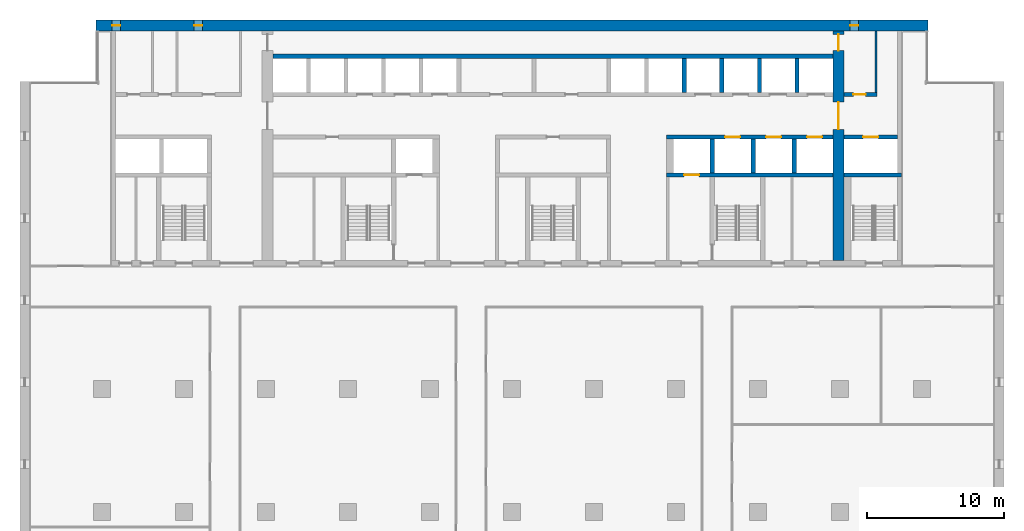
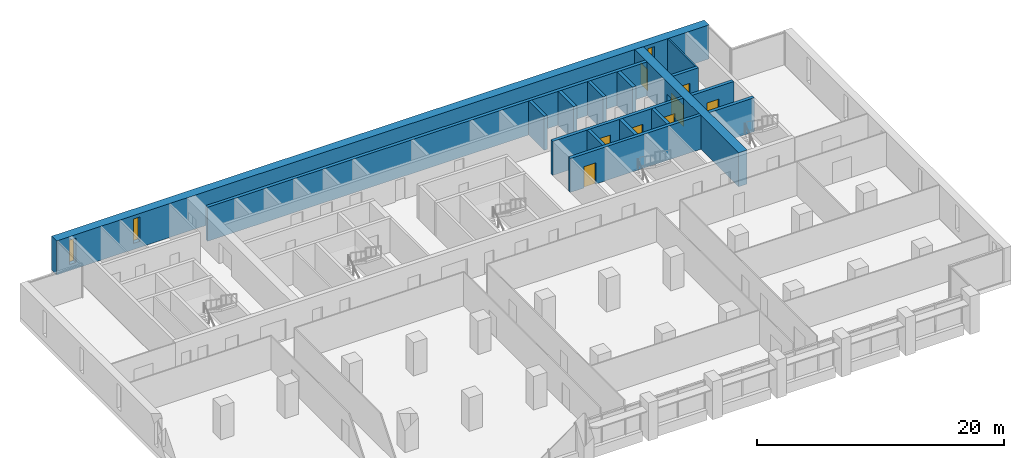
# One storey, part 11 of 16: 16 walls, 8 doors, 3 windows, 11 openings.
"""IFC4 building model written with IfcOpenShell, lengths in metres."""

from ifc_helpers import new_model, si_unit, direction, frame, frame_2d, origin, place, context, subcontext, project, spatial, rectangle, extrude, material, layer, layer_set, type_object, element, fill, save


model = new_model("IFC4")

# Units and contexts
model_context = context("Model", 3, precision=1e-05, world=origin(), true_north=direction((0.0, 1.0)))
body_context = subcontext(model_context, "Body", "Model", "MODEL_VIEW")
ifc_project = project(units=[si_unit("LENGTHUNIT", "METRE"), si_unit("AREAUNIT", "SQUARE_METRE"), si_unit("VOLUMEUNIT", "CUBIC_METRE"), si_unit("PLANEANGLEUNIT", "RADIAN"), si_unit("MASSUNIT", "GRAM", prefix="KILO")], contexts=[model_context])

# Site, building, storey
site_placement = place(None, origin())
site = spatial("IfcSite", under=ifc_project, at=site_placement, CompositionType="ELEMENT")
building_placement = place(site_placement, origin())
building = spatial("IfcBuilding", under=site, at=building_placement, Name="Calvaro Tower", CompositionType="ELEMENT")
storey_placement = place(building_placement, frame((0.0, 0.0, 136.25)))
storey = spatial("IfcBuildingStorey", under=building, at=storey_placement, Name="L34", CompositionType="ELEMENT", Elevation=136.25)

# Wall
ifc_material_1 = material(Name="Blockwork partition", Category="masonry")
ifc_layer_1 = layer(ifc_material_1, 0.14990234375)
ifc_layer_set_1 = layer_set([ifc_layer_1], Name="Blockwork partition")
wall_type_1 = type_object("IfcWallType", Name="Core partition 150 REI 120", PredefinedType="PARTITIONING", material=ifc_layer_set_1)
wall_1_placement = place(storey_placement, frame((62.625, 40.699951171875, 0.0), z_axis=(0.0, 0.0, 1.0), x_axis=(0.0, 1.0, 0.0)))
element("IfcWall", 1, at=wall_1_placement, inside=storey, type_object=wall_type_1, Name="Core partition", PredefinedType="PARTITIONING", context=body_context, shape_type="SweptSolid", body=[
    extrude(rectangle(XDim=4.5, YDim=0.14990234375, at=frame_2d((2.25, 0.0))), origin(), (0.0, 0.0, 1.0), 3.35009765625),
])

# Wall, opening, door
ifc_material_2 = material(Name="Blockwork partition", Category="masonry")
ifc_layer_2 = layer(ifc_material_2, 0.300048828125)
ifc_layer_set_2 = layer_set([ifc_layer_2], Name="Blockwork partition")
wall_type_2 = type_object("IfcWallType", Name="Core partition 300 REI 120", PredefinedType="PARTITIONING", material=ifc_layer_set_2)
wall_2_placement = place(storey_placement, frame((60.300048828125, 40.550048828125, 0.0), z_axis=(0.0, 0.0, 1.0), x_axis=(1.0, 0.0, 0.0)))
wall_2 = element("IfcWall", 2, at=wall_2_placement, inside=storey, type_object=wall_type_2, Name="Core partition", PredefinedType="PARTITIONING", context=body_context, shape_type="SweptSolid", body=[
    extrude(rectangle(XDim=2.39990234375, YDim=0.300048828125, at=frame_2d((1.199951171875, 0.0))), origin(), (0.0, 0.0, 1.0), 3.35009765625),
])
opening_1_placement = place(wall_2_placement, frame((0.675048828125, 0.0, 0.0)))
opening_1 = element("IfcOpeningElement", 3, at=opening_1_placement, cuts=wall_2, Name="Opening RD9E", PredefinedType="OPENING", context=body_context, shape_type="SweptSolid", body=[
    extrude(rectangle(XDim=0.89990234375, YDim=2.10009765625, at=frame_2d((0.449951171875, 1.050048828125))), frame((0.0, 0.159912109375, 0.0), z_axis=(0.0, -1.0, 0.0), x_axis=(1.0, 0.0, 0.0)), (0.0, 0.0, 1.0), 0.320068359375),
])
ifc_material_3 = material(Name="Steel door set", Category="steel")
door_type_1 = type_object("IfcDoorType", Name="Room door 900 FD60", OperationType="SINGLE_SWING_LEFT", PredefinedType="DOOR", material=ifc_material_3)
door_1_placement = place(opening_1_placement, origin())
door_1 = element("IfcDoor", 4, at=door_1_placement, inside=storey, type_object=door_type_1, Name="Room door", OperationType="SINGLE_SWING_LEFT", OverallHeight=2.10009765625, OverallWidth=0.89990234375, PredefinedType="DOOR", context=body_context, shape_type="SweptSolid", body=[
    extrude(rectangle(XDim=0.89990234375, YDim=2.10009765625, at=frame_2d((0.449951171875, 1.050048828125))), frame((0.0, 0.02490234375, 0.0), z_axis=(0.0, -1.0, 0.0), x_axis=(1.0, 0.0, 0.0)), (0.0, 0.0, 1.0), 0.050048828125),
])
fill(opening_1, door_1)

ifc_material_4 = material(Name="Concrete C60/75", Category="concrete")
ifc_layer_3 = layer(ifc_material_4, 0.300048828125)
ifc_layer_set_3 = layer_set([ifc_layer_3], Name="Concrete C60/75")
wall_type_3 = type_object("IfcWallType", Name="Core wall C60/75 300", PredefinedType="SHEAR", material=ifc_layer_set_3)
wall_3_placement = place(storey_placement, frame((47.300048828125, 34.64990234375, 0.0), z_axis=(0.0, 0.0, 1.0), x_axis=(1.0, 0.0, 0.0)))
wall_3 = element("IfcWall", 5, at=wall_3_placement, inside=storey, type_object=wall_type_3, Name="Core wall, lift shaft", PredefinedType="SHEAR", context=body_context, shape_type="SweptSolid", body=[
    extrude(rectangle(XDim=12.199951171875, YDim=0.300048828125, at=frame_2d((6.10009765625, 0.0))), origin(), (0.0, 0.0, 1.0), 3.35009765625),
])
opening_2_placement = place(wall_3_placement, frame((1.300048828125, 0.0, 0.0)))
opening_2 = element("IfcOpeningElement", 6, at=opening_2_placement, cuts=wall_3, Name="Opening FF2", PredefinedType="OPENING", context=body_context, shape_type="SweptSolid", body=[
    extrude(rectangle(XDim=1.10009765625, YDim=2.10009765625, at=frame_2d((0.550048828125, 1.050048828125))), frame((0.0, 0.159912109375, 0.0), z_axis=(0.0, -1.0, 0.0), x_axis=(1.0, 0.0, 0.0)), (0.0, 0.0, 1.0), 0.320068359375),
])
ifc_material_5 = material(Name="Stainless steel", Category="steel")
door_type_2 = type_object("IfcDoorType", Name="Landing door 1100 E 60", OperationType="SLIDING_TO_LEFT", PredefinedType="DOOR", material=ifc_material_5)
door_2_placement = place(opening_2_placement, origin())
door_2 = element("IfcDoor", 7, at=door_2_placement, inside=storey, type_object=door_type_2, Name="Landing door FF2", OperationType="SLIDING_TO_LEFT", OverallHeight=2.10009765625, OverallWidth=1.10009765625, PredefinedType="DOOR", context=body_context, shape_type="SweptSolid", body=[
    extrude(rectangle(XDim=1.10009765625, YDim=2.10009765625, at=frame_2d((0.550048828125, 1.050048828125))), frame((0.0, 0.02490234375, 0.0), z_axis=(0.0, -1.0, 0.0), x_axis=(1.0, 0.0, 0.0)), (0.0, 0.0, 1.0), 0.050048828125),
])
fill(opening_2, door_2)

# Wall
wall_4_placement = place(storey_placement, frame((60.300048828125, 34.64990234375, 0.0), z_axis=(0.0, 0.0, 1.0), x_axis=(1.0, 0.0, 0.0)))
element("IfcWall", 8, at=wall_4_placement, inside=storey, type_object=wall_type_3, Name="Core wall, lift shaft", PredefinedType="SHEAR", context=body_context, shape_type="SweptSolid", body=[
    extrude(rectangle(XDim=4.199951171875, YDim=0.300048828125, at=frame_2d((2.10009765625, 0.0))), origin(), (0.0, 0.0, 1.0), 3.35009765625),
])

# Wall, openings, doors
wall_5_placement = place(storey_placement, frame((47.300048828125, 37.449951171875, 0.0), z_axis=(0.0, 0.0, 1.0), x_axis=(1.0, 0.0, 0.0)))
wall_5 = element("IfcWall", 9, at=wall_5_placement, inside=storey, type_object=wall_type_3, Name="Core wall, lift shaft", PredefinedType="SHEAR", context=body_context, shape_type="SweptSolid", body=[
    extrude(rectangle(XDim=12.199951171875, YDim=0.300048828125, at=frame_2d((6.10009765625, 0.0))), origin(), (0.0, 0.0, 1.0), 3.35009765625),
])
opening_3_placement = place(wall_5_placement, frame((4.300048828125, 0.0, 0.0)))
opening_3 = element("IfcOpeningElement", 10, at=opening_3_placement, cuts=wall_5, Name="Opening MR1", PredefinedType="OPENING", context=body_context, shape_type="SweptSolid", body=[
    extrude(rectangle(XDim=1.10009765625, YDim=2.10009765625, at=frame_2d((0.550048828125, 1.050048828125))), frame((0.0, 0.159912109375, 0.0), z_axis=(0.0, -1.0, 0.0), x_axis=(1.0, 0.0, 0.0)), (0.0, 0.0, 1.0), 0.320068359375),
])
opening_4_placement = place(wall_5_placement, frame((7.300048828125, 0.0, 0.0)))
opening_4 = element("IfcOpeningElement", 11, at=opening_4_placement, cuts=wall_5, Name="Opening MR2", PredefinedType="OPENING", context=body_context, shape_type="SweptSolid", body=[
    extrude(rectangle(XDim=1.10009765625, YDim=2.10009765625, at=frame_2d((0.550048828125, 1.050048828125))), frame((0.0, 0.159912109375, 0.0), z_axis=(0.0, -1.0, 0.0), x_axis=(1.0, 0.0, 0.0)), (0.0, 0.0, 1.0), 0.320068359375),
])
opening_5_placement = place(wall_5_placement, frame((10.300048828125, 0.0, 0.0)))
opening_5 = element("IfcOpeningElement", 12, at=opening_5_placement, cuts=wall_5, Name="Opening MR3", PredefinedType="OPENING", context=body_context, shape_type="SweptSolid", body=[
    extrude(rectangle(XDim=1.10009765625, YDim=2.10009765625, at=frame_2d((0.550048828125, 1.050048828125))), frame((0.0, 0.159912109375, 0.0), z_axis=(0.0, -1.0, 0.0), x_axis=(1.0, 0.0, 0.0)), (0.0, 0.0, 1.0), 0.320068359375),
])
door_3_placement = place(opening_3_placement, origin())
door_3 = element("IfcDoor", 13, at=door_3_placement, inside=storey, type_object=door_type_2, Name="Landing door MR1", OperationType="SLIDING_TO_LEFT", OverallHeight=2.10009765625, OverallWidth=1.10009765625, PredefinedType="DOOR", context=body_context, shape_type="SweptSolid", body=[
    extrude(rectangle(XDim=1.10009765625, YDim=2.10009765625, at=frame_2d((0.550048828125, 1.050048828125))), frame((0.0, 0.02490234375, 0.0), z_axis=(0.0, -1.0, 0.0), x_axis=(1.0, 0.0, 0.0)), (0.0, 0.0, 1.0), 0.050048828125),
])
fill(opening_3, door_3)
door_4_placement = place(opening_4_placement, origin())
door_4 = element("IfcDoor", 14, at=door_4_placement, inside=storey, type_object=door_type_2, Name="Landing door MR2", OperationType="SLIDING_TO_LEFT", OverallHeight=2.10009765625, OverallWidth=1.10009765625, PredefinedType="DOOR", context=body_context, shape_type="SweptSolid", body=[
    extrude(rectangle(XDim=1.10009765625, YDim=2.10009765625, at=frame_2d((0.550048828125, 1.050048828125))), frame((0.0, 0.02490234375, 0.0), z_axis=(0.0, -1.0, 0.0), x_axis=(1.0, 0.0, 0.0)), (0.0, 0.0, 1.0), 0.050048828125),
])
fill(opening_4, door_4)
door_5_placement = place(opening_5_placement, origin())
door_5 = element("IfcDoor", 15, at=door_5_placement, inside=storey, type_object=door_type_2, Name="Landing door MR3", OperationType="SLIDING_TO_LEFT", OverallHeight=2.10009765625, OverallWidth=1.10009765625, PredefinedType="DOOR", context=body_context, shape_type="SweptSolid", body=[
    extrude(rectangle(XDim=1.10009765625, YDim=2.10009765625, at=frame_2d((0.550048828125, 1.050048828125))), frame((0.0, 0.02490234375, 0.0), z_axis=(0.0, -1.0, 0.0), x_axis=(1.0, 0.0, 0.0)), (0.0, 0.0, 1.0), 0.050048828125),
])
fill(opening_5, door_5)

# Wall, opening, door
wall_6_placement = place(storey_placement, frame((60.300048828125, 37.449951171875, 0.0), z_axis=(0.0, 0.0, 1.0), x_axis=(1.0, 0.0, 0.0)))
wall_6 = element("IfcWall", 16, at=wall_6_placement, inside=storey, type_object=wall_type_3, Name="Core wall, lift shaft", PredefinedType="SHEAR", context=body_context, shape_type="SweptSolid", body=[
    extrude(rectangle(XDim=3.89990234375, YDim=0.300048828125, at=frame_2d((1.949951171875, 0.0))), origin(), (0.0, 0.0, 1.0), 3.35009765625),
])
opening_6_placement = place(wall_6_placement, frame((1.39990234375, 0.0, 0.0)))
opening_6 = element("IfcOpeningElement", 17, at=opening_6_placement, cuts=wall_6, Name="Opening FF3", PredefinedType="OPENING", context=body_context, shape_type="SweptSolid", body=[
    extrude(rectangle(XDim=1.10009765625, YDim=2.10009765625, at=frame_2d((0.550048828125, 1.050048828125))), frame((0.0, 0.159912109375, 0.0), z_axis=(0.0, -1.0, 0.0), x_axis=(1.0, 0.0, 0.0)), (0.0, 0.0, 1.0), 0.320068359375),
])
door_6_placement = place(opening_6_placement, origin())
door_6 = element("IfcDoor", 18, at=door_6_placement, inside=storey, type_object=door_type_2, Name="Landing door FF3", OperationType="SLIDING_TO_LEFT", OverallHeight=2.10009765625, OverallWidth=1.10009765625, PredefinedType="DOOR", context=body_context, shape_type="SweptSolid", body=[
    extrude(rectangle(XDim=1.10009765625, YDim=2.10009765625, at=frame_2d((0.550048828125, 1.050048828125))), frame((0.0, 0.02490234375, 0.0), z_axis=(0.0, -1.0, 0.0), x_axis=(1.0, 0.0, 0.0)), (0.0, 0.0, 1.0), 0.050048828125),
])
fill(opening_6, door_6)

# Walls
wall_7_placement = place(storey_placement, frame((50.64990234375, 34.800048828125, 0.0), z_axis=(0.0, 0.0, 1.0), x_axis=(0.0, 1.0, 0.0)))
element("IfcWall", 19, at=wall_7_placement, inside=storey, type_object=wall_type_3, Name="Core wall, lift shaft", PredefinedType="SHEAR", context=body_context, shape_type="SweptSolid", body=[
    extrude(rectangle(XDim=2.5, YDim=0.300048828125, at=frame_2d((1.25, 0.0))), origin(), (0.0, 0.0, 1.0), 3.35009765625),
])
wall_8_placement = place(storey_placement, frame((18.5, 43.35009765625, 0.0), z_axis=(0.0, 0.0, 1.0), x_axis=(1.0, 0.0, 0.0)))
element("IfcWall", 20, at=wall_8_placement, inside=storey, type_object=wall_type_3, Name="Core wall, lift shaft", PredefinedType="SHEAR", context=body_context, shape_type="SweptSolid", body=[
    extrude(rectangle(XDim=41.0, YDim=0.300048828125, at=frame_2d((20.5, 0.0))), origin(), (0.0, 0.0, 1.0), 3.35009765625),
])
for number, where, z_axis, x_axis, name in (
    (21, (53.64990234375, 34.800048828125, 0.0), (0.0, 0.0, 1.0), (0.0, 1.0, 0.0), "Core wall, lift shaft"),
    (22, (56.64990234375, 34.800048828125, 0.0), (0.0, 0.0, 1.0), (0.0, 1.0, 0.0), "Core wall, lift shaft"),
    (23, (48.60009765625, 40.699951171875, 0.0), (0.0, 0.0, 1.0), (0.0, 1.0, 0.0), "Core wall, lift shaft"),
    (24, (51.35009765625, 40.699951171875, 0.0), (0.0, 0.0, 1.0), (0.0, 1.0, 0.0), "Core wall, lift shaft"),
    (25, (54.10009765625, 40.699951171875, 0.0), (0.0, 0.0, 1.0), (0.0, 1.0, 0.0), "Core wall, lift shaft"),
    (26, (56.85009765625, 40.699951171875, 0.0), (0.0, 0.0, 1.0), (0.0, 1.0, 0.0), "Core wall, lift shaft"),
):
    element("IfcWall", number, at=place(storey_placement, frame(where, z_axis=z_axis, x_axis=x_axis)), inside=storey, type_object=wall_type_3, Name=name, PredefinedType="SHEAR", context=body_context, shape_type="SweptSolid", body=[
        extrude(rectangle(XDim=2.5, YDim=0.300048828125, at=frame_2d((1.25, 0.0))), origin(), (0.0, 0.0, 1.0), 3.35009765625),
    ])

# Wall, openings, doors
ifc_material_6 = material(Name="Concrete C60/75", Category="concrete")
ifc_layer_4 = layer(ifc_material_6, 0.800048828125)
ifc_layer_set_4 = layer_set([ifc_layer_4], Name="Concrete C60/75")
wall_type_4 = type_object("IfcWallType", Name="Core wall C60/75 800", PredefinedType="SHEAR", material=ifc_layer_set_4)
wall_9_placement = place(storey_placement, frame((59.89990234375, 28.39990234375, 0.0), z_axis=(0.0, 0.0, 1.0), x_axis=(0.0, 1.0, 0.0)))
wall_9 = element("IfcWall", 27, at=wall_9_placement, inside=storey, type_object=wall_type_4, Name="Core wall, cross shear wall", PredefinedType="SHEAR", context=body_context, shape_type="SweptSolid", body=[
    extrude(rectangle(XDim=16.800048828125, YDim=0.800048828125, at=frame_2d((8.39990234375, 0.0))), origin(), (0.0, 0.0, 1.0), 3.35009765625),
])
opening_7_placement = place(wall_9_placement, frame((9.60009765625, 0.0, 0.0)))
opening_7 = element("IfcOpeningElement", 28, at=opening_7_placement, cuts=wall_9, Name="Opening DD20D", PredefinedType="OPENING", context=body_context, shape_type="SweptSolid", body=[
    extrude(rectangle(XDim=2.0, YDim=2.10009765625, at=frame_2d((1.0, 1.050048828125))), frame((0.0, 0.409912109375, 0.0), z_axis=(0.0, -1.0, 0.0), x_axis=(1.0, 0.0, 0.0)), (0.0, 0.0, 1.0), 0.820068359375),
])
opening_8_placement = place(wall_9_placement, frame((15.35009765625, 0.0, 0.0)))
opening_8 = element("IfcOpeningElement", 29, at=opening_8_placement, cuts=wall_9, Name="Opening FD12C", PredefinedType="OPENING", context=body_context, shape_type="SweptSolid", body=[
    extrude(rectangle(XDim=1.199951171875, YDim=2.10009765625, at=frame_2d((0.60009765625, 1.050048828125))), frame((0.0, 0.409912109375, 0.0), z_axis=(0.0, -1.0, 0.0), x_axis=(1.0, 0.0, 0.0)), (0.0, 0.0, 1.0), 0.820068359375),
])
ifc_material_7 = material(Name="Steel door set", Category="steel")
door_type_3 = type_object("IfcDoorType", Name="Fire door 1200 FD30", OperationType="SINGLE_SWING_LEFT", PredefinedType="DOOR", material=ifc_material_7)
door_7_placement = place(opening_8_placement, origin())
door_7 = element("IfcDoor", 30, at=door_7_placement, inside=storey, type_object=door_type_3, Name="Fire door", OperationType="SINGLE_SWING_LEFT", OverallHeight=2.10009765625, OverallWidth=1.199951171875, PredefinedType="DOOR", context=body_context, shape_type="SweptSolid", body=[
    extrude(rectangle(XDim=1.199951171875, YDim=2.10009765625, at=frame_2d((0.60009765625, 1.050048828125))), frame((0.0, 0.02490234375, 0.0), z_axis=(0.0, -1.0, 0.0), x_axis=(1.0, 0.0, 0.0)), (0.0, 0.0, 1.0), 0.050048828125),
])
fill(opening_8, door_7)
ifc_material_8 = material(Name="Steel door set", Category="steel")
door_type_4 = type_object("IfcDoorType", Name="Lobby double door 2000 FD30S", OperationType="DOUBLE_DOOR_SINGLE_SWING", PredefinedType="DOOR", material=ifc_material_8)
door_8_placement = place(opening_7_placement, origin())
door_8 = element("IfcDoor", 31, at=door_8_placement, inside=storey, type_object=door_type_4, Name="Lobby double door", OperationType="DOUBLE_DOOR_SINGLE_SWING", OverallHeight=2.10009765625, OverallWidth=2.0, PredefinedType="DOOR", context=body_context, shape_type="SweptSolid", body=[
    extrude(rectangle(XDim=2.0, YDim=2.10009765625, at=frame_2d((1.0, 1.050048828125))), frame((0.0, 0.02490234375, 0.0), z_axis=(0.0, -1.0, 0.0), x_axis=(1.0, 0.0, 0.0)), (0.0, 0.0, 1.0), 0.050048828125),
])
fill(opening_7, door_8)

# Wall, openings, windows
ifc_material_9 = material(Name="Concrete C60/75", Category="concrete")
ifc_layer_5 = layer(ifc_material_9, 0.800048828125)
ifc_layer_set_5 = layer_set([ifc_layer_5], Name="Concrete C60/75")
wall_type_5 = type_object("IfcWallType", Name="Rear core wall 800 C60/75", PredefinedType="SHEAR", material=ifc_layer_set_5)
wall_10_placement = place(storey_placement, frame((5.550048828125, 45.60009765625, 0.0), z_axis=(0.0, 0.0, 1.0), x_axis=(1.0, 0.0, 0.0)))
wall_10 = element("IfcWall", 32, at=wall_10_placement, inside=storey, type_object=wall_type_5, Name="North core wall", PredefinedType="SHEAR", context=body_context, shape_type="SweptSolid", body=[
    extrude(rectangle(XDim=60.89990234375, YDim=0.800048828125, at=frame_2d((30.449951171875, 0.0))), origin(), (0.0, 0.0, 1.0), 3.35009765625),
])
opening_9_placement = place(wall_10_placement, frame((1.199951171875, 0.0, 0.60009765625)))
opening_9 = element("IfcOpeningElement", 33, at=opening_9_placement, cuts=wall_10, Name="Opening WN01", PredefinedType="OPENING", context=body_context, shape_type="SweptSolid", body=[
    extrude(rectangle(XDim=0.60009765625, YDim=2.39990234375, at=frame_2d((0.300048828125, 1.199951171875))), frame((0.0, 0.409912109375, 0.0), z_axis=(0.0, -1.0, 0.0), x_axis=(1.0, 0.0, 0.0)), (0.0, 0.0, 1.0), 0.820068359375),
])
opening_10_placement = place(wall_10_placement, frame((7.199951171875, 0.0, 0.60009765625)))
opening_10 = element("IfcOpeningElement", 34, at=opening_10_placement, cuts=wall_10, Name="Opening WN02", PredefinedType="OPENING", context=body_context, shape_type="SweptSolid", body=[
    extrude(rectangle(XDim=0.60009765625, YDim=2.39990234375, at=frame_2d((0.300048828125, 1.199951171875))), frame((0.0, 0.409912109375, 0.0), z_axis=(0.0, -1.0, 0.0), x_axis=(1.0, 0.0, 0.0)), (0.0, 0.0, 1.0), 0.820068359375),
])
opening_11_placement = place(wall_10_placement, frame((55.199951171875, 0.0, 0.60009765625)))
opening_11 = element("IfcOpeningElement", 35, at=opening_11_placement, cuts=wall_10, Name="Opening WN10", PredefinedType="OPENING", context=body_context, shape_type="SweptSolid", body=[
    extrude(rectangle(XDim=0.60009765625, YDim=2.39990234375, at=frame_2d((0.300048828125, 1.199951171875))), frame((0.0, 0.409912109375, 0.0), z_axis=(0.0, -1.0, 0.0), x_axis=(1.0, 0.0, 0.0)), (0.0, 0.0, 1.0), 0.820068359375),
])
ifc_material_10 = material(Name="Glass", Category="glass")
window_type = type_object("IfcWindowType", Name="Slit window 600 x 2400", PartitioningType="SINGLE_PANEL", PredefinedType="WINDOW", material=ifc_material_10)
window_1_placement = place(opening_9_placement, origin())
window_1 = element("IfcWindow", 36, at=window_1_placement, inside=storey, type_object=window_type, Name="Window WN01", OverallHeight=2.39990234375, OverallWidth=0.60009765625, PartitioningType="SINGLE_PANEL", PredefinedType="WINDOW", context=body_context, shape_type="SweptSolid", body=[
    extrude(rectangle(XDim=0.60009765625, YDim=2.39990234375, at=frame_2d((0.300048828125, 1.199951171875))), frame((0.0, 0.030029296875, 0.0), z_axis=(0.0, -1.0, 0.0), x_axis=(1.0, 0.0, 0.0)), (0.0, 0.0, 1.0), 0.06005859375),
])
fill(opening_9, window_1)
window_2_placement = place(opening_10_placement, origin())
window_2 = element("IfcWindow", 37, at=window_2_placement, inside=storey, type_object=window_type, Name="Window WN02", OverallHeight=2.39990234375, OverallWidth=0.60009765625, PartitioningType="SINGLE_PANEL", PredefinedType="WINDOW", context=body_context, shape_type="SweptSolid", body=[
    extrude(rectangle(XDim=0.60009765625, YDim=2.39990234375, at=frame_2d((0.300048828125, 1.199951171875))), frame((0.0, 0.030029296875, 0.0), z_axis=(0.0, -1.0, 0.0), x_axis=(1.0, 0.0, 0.0)), (0.0, 0.0, 1.0), 0.06005859375),
])
fill(opening_10, window_2)
window_3_placement = place(opening_11_placement, origin())
window_3 = element("IfcWindow", 38, at=window_3_placement, inside=storey, type_object=window_type, Name="Window WN10", OverallHeight=2.39990234375, OverallWidth=0.60009765625, PartitioningType="SINGLE_PANEL", PredefinedType="WINDOW", context=body_context, shape_type="SweptSolid", body=[
    extrude(rectangle(XDim=0.60009765625, YDim=2.39990234375, at=frame_2d((0.300048828125, 1.199951171875))), frame((0.0, 0.030029296875, 0.0), z_axis=(0.0, -1.0, 0.0), x_axis=(1.0, 0.0, 0.0)), (0.0, 0.0, 1.0), 0.06005859375),
])
fill(opening_11, window_3)

save(model, "model.ifc")
